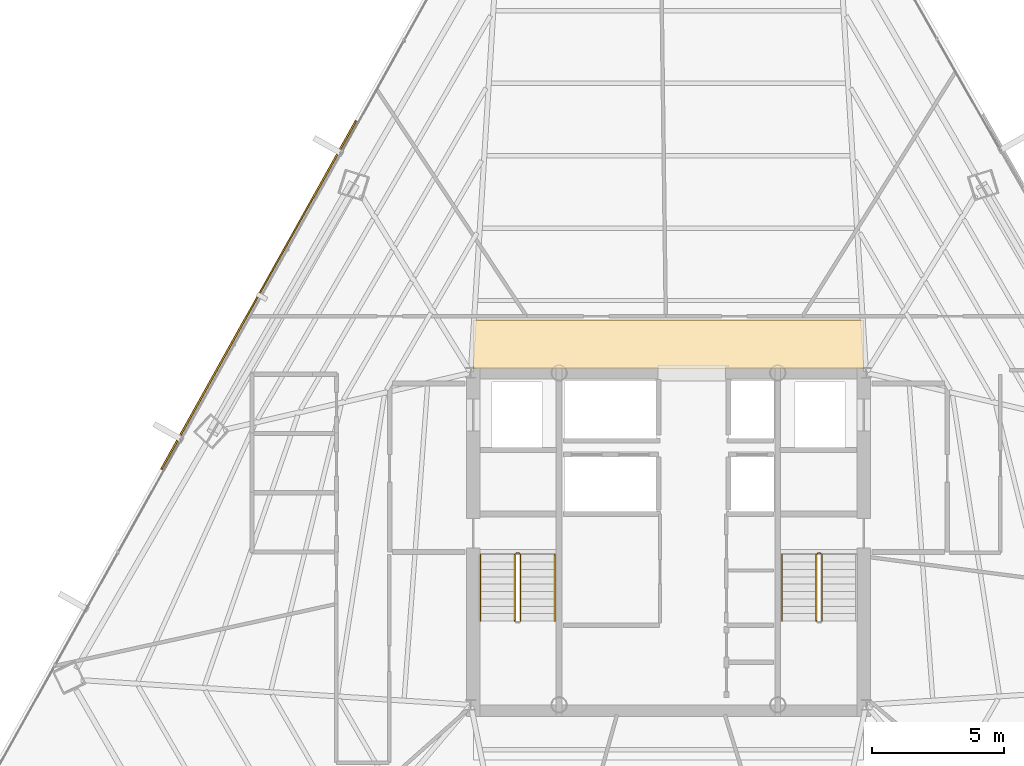
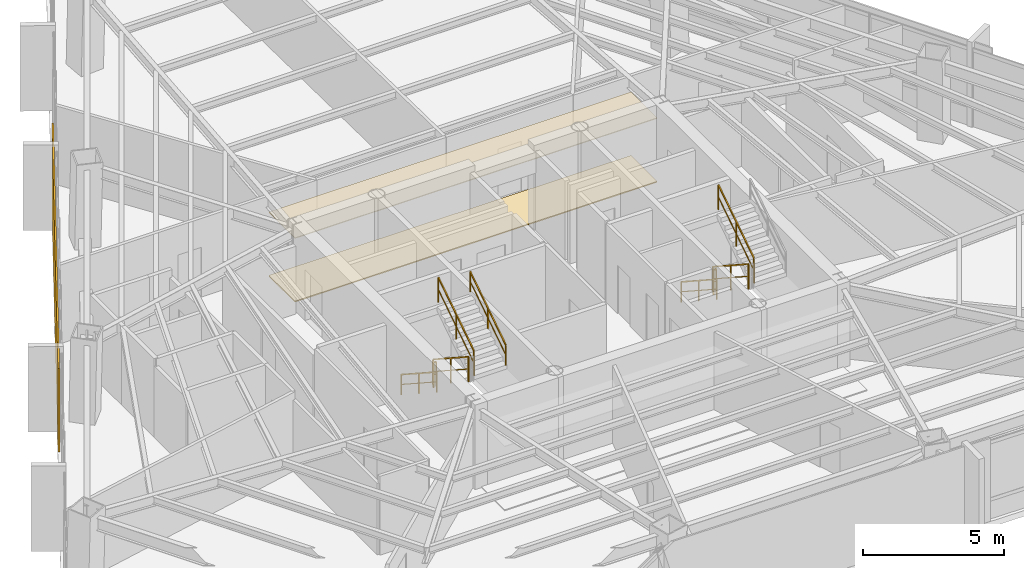
# One storey, part 38 of 39: 9 railings, 2 coverings, 1 shading device.
"""IFC4 building model written with IfcOpenShell, lengths in metres."""

from ifc_helpers import new_model, si_unit, direction, frame, origin, origin_2d, place, context, subcontext, project, spatial, polyline, rectangle, outline, extrude, source, transform, mapped, material, layer, layer_set, type_object, type_shapes, element, save


model = new_model("IFC4")

# Units and contexts
model_context = context("Model", 3, precision=1e-05, world=origin(), true_north=direction((0.0, 1.0)))
body_context = subcontext(model_context, "Body", "Model", "MODEL_VIEW")
ifc_project = project(units=[si_unit("LENGTHUNIT", "METRE"), si_unit("AREAUNIT", "SQUARE_METRE"), si_unit("VOLUMEUNIT", "CUBIC_METRE"), si_unit("PLANEANGLEUNIT", "RADIAN"), si_unit("MASSUNIT", "GRAM", prefix="KILO")], contexts=[model_context])

# Site, building, storey
site_placement = place(None, origin())
site = spatial("IfcSite", under=ifc_project, at=site_placement, CompositionType="ELEMENT")
building_placement = place(site_placement, origin())
building = spatial("IfcBuilding", under=site, at=building_placement, Name="Caelisora Broadcast Tower", CompositionType="ELEMENT")
storey_placement = place(building_placement, frame((0.0, 0.0, 142.75)))
storey = spatial("IfcBuildingStorey", under=building, at=storey_placement, Name="L37", CompositionType="ELEMENT", Elevation=142.75)

# Coverings
ifc_material_1 = material(Name="Perforated Mineral-Fibre Acoustic Ceiling Tile", Category="gypsum")
ifc_layer_1 = layer(ifc_material_1, 0.034912109375, Name="Perforated Mineral-Fibre Acoustic Ceiling Tile")
ifc_layer_set_1 = layer_set([ifc_layer_1], Name="Perforated Mineral-Fibre Acoustic Ceiling Tile")
covering_type_1 = type_object("IfcCoveringType", Name="CE-1", PredefinedType="CEILING", material=ifc_layer_set_1)
covering_1_placement = place(storey_placement, frame((0.0, 0.0, 2.75)))
element("IfcCovering", 1, at=covering_1_placement, inside=storey, type_object=covering_type_1, Name="L37 acoustic corridor ceiling CE-1 (N)", PredefinedType="CEILING", context=body_context, shape_type="SweptSolid", body=[
    extrude(outline(polyline([(30.60009765625, 30.14990234375), (45.39990234375, 30.14990234375), (45.39990234375, 32.0), (30.60009765625, 32.0), (30.60009765625, 30.14990234375)])), origin(), (0.0, 0.0, 1.0), 0.034912109375),
])
ifc_material_2 = material(Name="Anti-Static Broadcast Raised Access Floor Panel", Category="steel")
ifc_layer_2 = layer(ifc_material_2, 0.044921875, Name="Anti-Static Broadcast Raised Access Floor Panel")
ifc_layer_set_2 = layer_set([ifc_layer_2], Name="Anti-Static Broadcast Raised Access Floor Panel")
covering_type_2 = type_object("IfcCoveringType", Name="FL-1", PredefinedType="FLOORING", material=ifc_layer_set_2)
covering_2_placement = place(storey_placement, origin())
element("IfcCovering", 2, at=covering_2_placement, inside=storey, type_object=covering_type_2, Name="L37 broadcast raised access floor FL-1 (N)", PredefinedType="FLOORING", context=body_context, shape_type="SweptSolid", body=[
    extrude(outline(polyline([(30.60009765625, 30.14990234375), (45.39990234375, 30.14990234375), (45.39990234375, 32.0), (30.60009765625, 32.0), (30.60009765625, 30.14990234375)])), origin(), (0.0, 0.0, 1.0), 0.044921875),
])

# Railings
ifc_material_3 = material(Name="Galvanised Steel Safety Guardrail", Category="steel")
ifc_layer_3 = layer(ifc_material_3, 0.048095703125, Name="Galvanised Steel Safety Guardrail")
ifc_layer_set_3 = layer_set([ifc_layer_3], Name="Galvanised Steel Safety Guardrail")
railing_type_1 = type_object("IfcRailingType", Name="GR-1", PredefinedType="GUARDRAIL", material=ifc_layer_set_3)
railing_1_placement = place(storey_placement, frame((32.169921875, 23.10009765625, 0.1826171875)))
element("IfcRailing", 3, at=railing_1_placement, inside=storey, type_object=railing_type_1, Name="L37 ST-1 stair guard 1", PredefinedType="GUARDRAIL", context=body_context, shape_type="SweptSolid", body=[
    extrude(rectangle(XDim=0.048095703125, YDim=0.048095703125, at=origin_2d()), frame((0.0, 0.0, 1.076171875), z_axis=(0.0, -0.837786554691, 0.545997883492), x_axis=(1.0, 0.0, 0.0)), (0.0, 0.0, 1.0), 3.008056640625),
    extrude(rectangle(XDim=0.03125, YDim=0.03125, at=origin_2d()), frame((0.0, 0.0, 0.550048828125), z_axis=(0.0, -0.837786554691, 0.545997883492), x_axis=(1.0, 0.0, 0.0)), (0.0, 0.0, 1.0), 3.008056640625),
    extrude(rectangle(XDim=0.0419921875, YDim=0.0419921875, at=origin_2d()), origin(), (0.0, 0.0, 1.0), 1.052001953125),
    extrude(rectangle(XDim=0.0419921875, YDim=0.0419921875, at=origin_2d()), frame((0.0, -1.260009765625, 0.8212890625)), (0.0, 0.0, 1.0), 1.052001953125),
    extrude(rectangle(XDim=0.0419921875, YDim=0.0419921875, at=origin_2d()), frame((0.0, -2.52001953125, 1.642333984375)), (0.0, 0.0, 1.0), 1.052001953125),
])
railing_2_placement = place(storey_placement, frame((32.389892578125, 20.580078125, 2.007568359375)))
element("IfcRailing", 4, at=railing_2_placement, inside=storey, type_object=railing_type_1, Name="L37 ST-1 stair guard 3", PredefinedType="GUARDRAIL", context=body_context, shape_type="SweptSolid", body=[
    extrude(rectangle(XDim=0.048095703125, YDim=0.048095703125, at=origin_2d()), frame((0.0, 0.0, 1.076171875), z_axis=(0.0, 0.837786554691, 0.545997883492), x_axis=(-1.0, 0.0, 0.0)), (0.0, 0.0, 1.0), 3.008056640625),
    extrude(rectangle(XDim=0.03125, YDim=0.03125, at=origin_2d()), frame((0.0, 0.0, 0.550048828125), z_axis=(0.0, 0.837786554691, 0.545997883492), x_axis=(-1.0, 0.0, 0.0)), (0.0, 0.0, 1.0), 3.008056640625),
    extrude(rectangle(XDim=0.0419921875, YDim=0.0419921875, at=origin_2d()), origin(), (0.0, 0.0, 1.0), 1.052001953125),
    extrude(rectangle(XDim=0.0419921875, YDim=0.0419921875, at=origin_2d()), frame((0.0, 1.260009765625, 0.8212890625)), (0.0, 0.0, 1.0), 1.052001953125),
    extrude(rectangle(XDim=0.0419921875, YDim=0.0419921875, at=origin_2d()), frame((0.0, 2.52001953125, 1.642333984375)), (0.0, 0.0, 1.0), 1.052001953125),
])
railing_3_placement = place(storey_placement, frame((32.219970703125, 23.14990234375, 0.0)))
element("IfcRailing", 5, at=railing_3_placement, inside=storey, type_object=railing_type_1, Name="L37 ST-1 stair guard 4", PredefinedType="GUARDRAIL", context=body_context, shape_type="SweptSolid", body=[
    extrude(rectangle(XDim=0.048095703125, YDim=0.048095703125, at=origin_2d()), frame((0.0, 0.0, 1.076171875), z_axis=(1.0, 0.0, 0.0), x_axis=(0.0, 1.0, 0.0)), (0.0, 0.0, 1.0), 0.1201171875),
    extrude(rectangle(XDim=0.03125, YDim=0.03125, at=origin_2d()), frame((0.0, 0.0, 0.550048828125), z_axis=(1.0, 0.0, 0.0), x_axis=(0.0, 1.0, 0.0)), (0.0, 0.0, 1.0), 0.1201171875),
    extrude(rectangle(XDim=0.0419921875, YDim=0.0419921875, at=origin_2d()), origin(), (0.0, 0.0, 1.0), 1.052001953125),
    extrude(rectangle(XDim=0.0419921875, YDim=0.0419921875, at=origin_2d()), frame((0.1201171875, 0.0, 0.0)), (0.0, 0.0, 1.0), 1.052001953125),
])
railing_4_placement = place(storey_placement, frame((43.610107421875, 23.10009765625, 0.1826171875)))
element("IfcRailing", 6, at=railing_4_placement, inside=storey, type_object=railing_type_1, Name="L37 ST-2 stair guard 1", PredefinedType="GUARDRAIL", context=body_context, shape_type="SweptSolid", body=[
    extrude(rectangle(XDim=0.048095703125, YDim=0.048095703125, at=origin_2d()), frame((0.0, 0.0, 1.076171875), z_axis=(0.0, -0.837786554691, 0.545997883492), x_axis=(1.0, 0.0, 0.0)), (0.0, 0.0, 1.0), 3.008056640625),
    extrude(rectangle(XDim=0.03125, YDim=0.03125, at=origin_2d()), frame((0.0, 0.0, 0.550048828125), z_axis=(0.0, -0.837786554691, 0.545997883492), x_axis=(1.0, 0.0, 0.0)), (0.0, 0.0, 1.0), 3.008056640625),
    extrude(rectangle(XDim=0.0419921875, YDim=0.0419921875, at=origin_2d()), origin(), (0.0, 0.0, 1.0), 1.052001953125),
    extrude(rectangle(XDim=0.0419921875, YDim=0.0419921875, at=origin_2d()), frame((0.0, -1.260009765625, 0.8212890625)), (0.0, 0.0, 1.0), 1.052001953125),
    extrude(rectangle(XDim=0.0419921875, YDim=0.0419921875, at=origin_2d()), frame((0.0, -2.52001953125, 1.642333984375)), (0.0, 0.0, 1.0), 1.052001953125),
])
railing_5_placement = place(storey_placement, frame((43.830078125, 20.580078125, 2.007568359375)))
element("IfcRailing", 7, at=railing_5_placement, inside=storey, type_object=railing_type_1, Name="L37 ST-2 stair guard 3", PredefinedType="GUARDRAIL", context=body_context, shape_type="SweptSolid", body=[
    extrude(rectangle(XDim=0.048095703125, YDim=0.048095703125, at=origin_2d()), frame((0.0, 0.0, 1.076171875), z_axis=(0.0, 0.837786554691, 0.545997883492), x_axis=(-1.0, 0.0, 0.0)), (0.0, 0.0, 1.0), 3.008056640625),
    extrude(rectangle(XDim=0.03125, YDim=0.03125, at=origin_2d()), frame((0.0, 0.0, 0.550048828125), z_axis=(0.0, 0.837786554691, 0.545997883492), x_axis=(-1.0, 0.0, 0.0)), (0.0, 0.0, 1.0), 3.008056640625),
    extrude(rectangle(XDim=0.0419921875, YDim=0.0419921875, at=origin_2d()), origin(), (0.0, 0.0, 1.0), 1.052001953125),
    extrude(rectangle(XDim=0.0419921875, YDim=0.0419921875, at=origin_2d()), frame((0.0, 1.260009765625, 0.8212890625)), (0.0, 0.0, 1.0), 1.052001953125),
    extrude(rectangle(XDim=0.0419921875, YDim=0.0419921875, at=origin_2d()), frame((0.0, 2.52001953125, 1.642333984375)), (0.0, 0.0, 1.0), 1.052001953125),
])
railing_6_placement = place(storey_placement, frame((43.659912109375, 23.14990234375, 0.0)))
element("IfcRailing", 8, at=railing_6_placement, inside=storey, type_object=railing_type_1, Name="L37 ST-2 stair guard 4", PredefinedType="GUARDRAIL", context=body_context, shape_type="SweptSolid", body=[
    extrude(rectangle(XDim=0.048095703125, YDim=0.048095703125, at=origin_2d()), frame((0.0, 0.0, 1.076171875), z_axis=(1.0, 0.0, 0.0), x_axis=(0.0, 1.0, 0.0)), (0.0, 0.0, 1.0), 0.1201171875),
    extrude(rectangle(XDim=0.03125, YDim=0.03125, at=origin_2d()), frame((0.0, 0.0, 0.550048828125), z_axis=(1.0, 0.0, 0.0), x_axis=(0.0, 1.0, 0.0)), (0.0, 0.0, 1.0), 0.1201171875),
    extrude(rectangle(XDim=0.0419921875, YDim=0.0419921875, at=origin_2d()), origin(), (0.0, 0.0, 1.0), 1.052001953125),
    extrude(rectangle(XDim=0.0419921875, YDim=0.0419921875, at=origin_2d()), frame((0.1201171875, 0.0, 0.0)), (0.0, 0.0, 1.0), 1.052001953125),
])
ifc_material_4 = material(Name="Stainless Steel Grade 316 Tubular Handrail", Category="steel")
ifc_layer_4 = layer(ifc_material_4, 0.048095703125, Name="Stainless Steel Grade 316 Tubular Handrail")
ifc_layer_set_4 = layer_set([ifc_layer_4], Name="Stainless Steel Grade 316 Tubular Handrail")
railing_type_2 = type_object("IfcRailingType", Name="HR-1", PredefinedType="HANDRAIL", material=ifc_layer_set_4)
railing_7_placement = place(storey_placement, frame((30.8701171875, 23.10009765625, 0.1826171875)))
element("IfcRailing", 9, at=railing_7_placement, inside=storey, type_object=railing_type_2, Name="L37 ST-1 stair handrail 1", PredefinedType="HANDRAIL", context=body_context, shape_type="SweptSolid", body=[
    extrude(rectangle(XDim=0.048095703125, YDim=0.048095703125, at=origin_2d()), frame((0.0, 0.0, 0.8759765625), z_axis=(0.0, -0.837786554691, 0.545997883492), x_axis=(1.0, 0.0, 0.0)), (0.0, 0.0, 1.0), 3.008056640625),
    extrude(rectangle(XDim=0.03125, YDim=0.03125, at=origin_2d()), frame((0.0, 0.0, 0.449951171875), z_axis=(0.0, -0.837786554691, 0.545997883492), x_axis=(1.0, 0.0, 0.0)), (0.0, 0.0, 1.0), 3.008056640625),
    extrude(rectangle(XDim=0.0419921875, YDim=0.0419921875, at=origin_2d()), origin(), (0.0, 0.0, 1.0), 0.851806640625),
    extrude(rectangle(XDim=0.0419921875, YDim=0.0419921875, at=origin_2d()), frame((0.0, -1.260009765625, 0.8212890625)), (0.0, 0.0, 1.0), 0.851806640625),
    extrude(rectangle(XDim=0.0419921875, YDim=0.0419921875, at=origin_2d()), frame((0.0, -2.52001953125, 1.642333984375)), (0.0, 0.0, 1.0), 0.851806640625),
])
railing_8_placement = place(storey_placement, frame((33.68994140625, 20.580078125, 2.007568359375)))
element("IfcRailing", 10, at=railing_8_placement, inside=storey, type_object=railing_type_2, Name="L37 ST-1 stair handrail 2", PredefinedType="HANDRAIL", context=body_context, shape_type="SweptSolid", body=[
    extrude(rectangle(XDim=0.048095703125, YDim=0.048095703125, at=origin_2d()), frame((0.0, 0.0, 0.8759765625), z_axis=(0.0, 0.837786554691, 0.545997883492), x_axis=(-1.0, 0.0, 0.0)), (0.0, 0.0, 1.0), 3.008056640625),
    extrude(rectangle(XDim=0.03125, YDim=0.03125, at=origin_2d()), frame((0.0, 0.0, 0.449951171875), z_axis=(0.0, 0.837786554691, 0.545997883492), x_axis=(-1.0, 0.0, 0.0)), (0.0, 0.0, 1.0), 3.008056640625),
    extrude(rectangle(XDim=0.0419921875, YDim=0.0419921875, at=origin_2d()), origin(), (0.0, 0.0, 1.0), 0.851806640625),
    extrude(rectangle(XDim=0.0419921875, YDim=0.0419921875, at=origin_2d()), frame((0.0, 1.260009765625, 0.8212890625)), (0.0, 0.0, 1.0), 0.851806640625),
    extrude(rectangle(XDim=0.0419921875, YDim=0.0419921875, at=origin_2d()), frame((0.0, 2.52001953125, 1.642333984375)), (0.0, 0.0, 1.0), 0.851806640625),
])
railing_9_placement = place(storey_placement, frame((42.31005859375, 23.10009765625, 0.1826171875)))
element("IfcRailing", 11, at=railing_9_placement, inside=storey, type_object=railing_type_2, Name="L37 ST-2 stair handrail 1", PredefinedType="HANDRAIL", context=body_context, shape_type="SweptSolid", body=[
    extrude(rectangle(XDim=0.048095703125, YDim=0.048095703125, at=origin_2d()), frame((0.0, 0.0, 0.8759765625), z_axis=(0.0, -0.837786554691, 0.545997883492), x_axis=(1.0, 0.0, 0.0)), (0.0, 0.0, 1.0), 3.008056640625),
    extrude(rectangle(XDim=0.03125, YDim=0.03125, at=origin_2d()), frame((0.0, 0.0, 0.449951171875), z_axis=(0.0, -0.837786554691, 0.545997883492), x_axis=(1.0, 0.0, 0.0)), (0.0, 0.0, 1.0), 3.008056640625),
    extrude(rectangle(XDim=0.0419921875, YDim=0.0419921875, at=origin_2d()), origin(), (0.0, 0.0, 1.0), 0.851806640625),
    extrude(rectangle(XDim=0.0419921875, YDim=0.0419921875, at=origin_2d()), frame((0.0, -1.260009765625, 0.8212890625)), (0.0, 0.0, 1.0), 0.851806640625),
    extrude(rectangle(XDim=0.0419921875, YDim=0.0419921875, at=origin_2d()), frame((0.0, -2.52001953125, 1.642333984375)), (0.0, 0.0, 1.0), 0.851806640625),
])

# Shading device
ifc_material_5 = material(Name="Perforated Glazed Terracotta Baguette Solar Screen", Category="ceramic")
ifc_layer_5 = layer(ifc_material_5, 0.06494140625, Name="Perforated Glazed Terracotta Baguette Solar Screen")
ifc_layer_set_5 = layer_set([ifc_layer_5], Name="Perforated Glazed Terracotta Baguette Solar Screen")
shading_device_type = type_object("IfcShadingDeviceType", Name="SS-1", PredefinedType="USERDEFINED", material=ifc_layer_set_5)
shared_shape = source(origin(), body_context, "Body", "SweptSolid", [
    extrude(rectangle(XDim=15.14990234375, YDim=0.06494140625, at=origin_2d()), origin(), (0.0, 0.0, 1.0), 3.590087890625),
])
type_shapes(shading_device_type, [shared_shape])
shading_device_placement = place(storey_placement, frame((22.449951171875, 32.9560546875, 0.0), z_axis=(0.0, 0.0, 1.0), x_axis=(-0.487707298065, -0.873007211547, 0.0)))
element("IfcShadingDevice", 12, at=shading_device_placement, inside=storey, type_object=shading_device_type, Name="L37 perforated terracotta solar screen #1", ObjectType="SOLAR SCREEN", PredefinedType="USERDEFINED", context=body_context, shape_type="MappedRepresentation", body=[
    mapped(shared_shape, transform((0.0, 0.0, 0.0), scale=1.0)),
])

save(model, "model.ifc")
